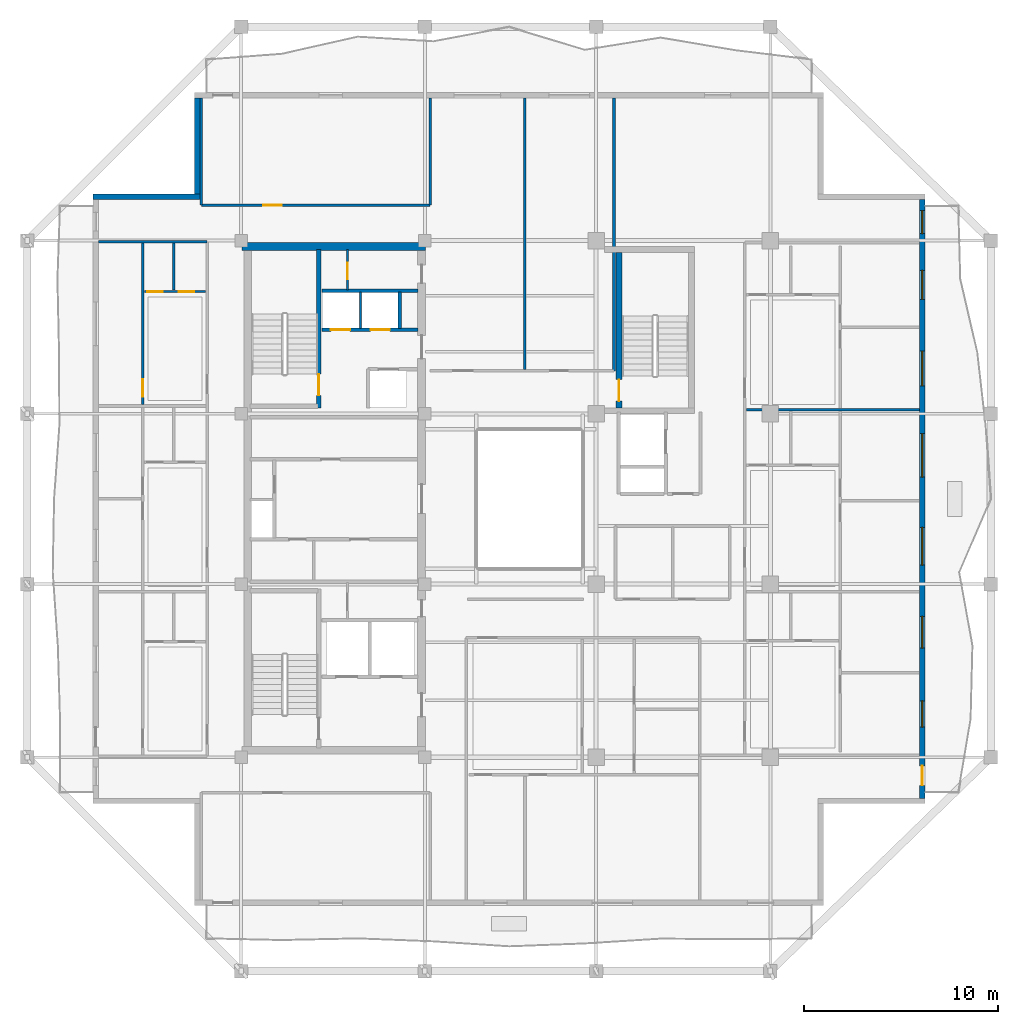
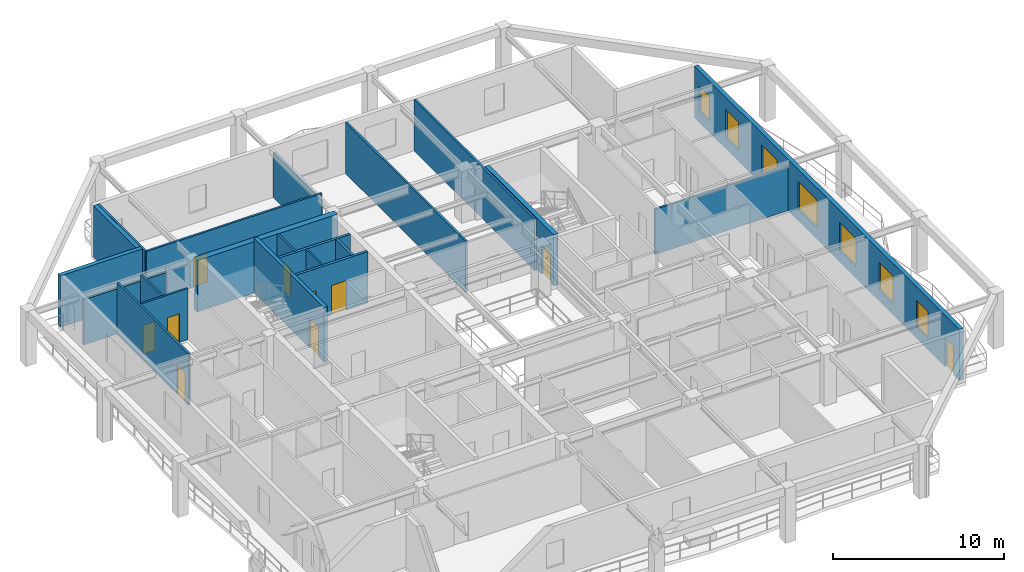
# One storey, part 6 of 13: 21 walls, 10 doors, 7 windows, 17 openings.
"""IFC4 building model written with IfcOpenShell, lengths in metres."""

import ifcopenshell
import ifcopenshell.guid

model = None  # the IFC model being written
_history = None  # IfcOwnerHistory: only IFC2X3 demands one
_inside = {}  # id of a spatial element -> (the spatial element, [elements in it])
_under = {}  # id of a project, library or spatial element -> (it, [spatial elements below it])
_declared = {}  # id of a project -> (the project, [libraries it declares])
_typed = {}  # id of a type object -> (the type object, [elements of that type])
_made_of = {}  # id of a material, layer set ... -> (it, [elements and type objects made of it])


def new_model(schema):
    """Start an empty IFC model of exactly this schema.

    Asked for "IFC4X3", IfcOpenShell would pick the latest addendum, in which some entities
    have other attributes; the version numbers below select the first issue.
    IFC2X3 requires an IfcOwnerHistory on every rooted entity: one is made here for all.
    """
    global model, _history
    if schema == "IFC4X3":
        model = ifcopenshell.file(schema_version=(4, 3, 0, 0))
    else:
        model = ifcopenshell.file(schema=schema)
    _inside.clear()
    _under.clear()
    _declared.clear()
    _typed.clear()
    _made_of.clear()
    _history = None
    if model.schema == "IFC2X3":
        org = make("IfcOrganization", Name="unknown")
        user = make(
            "IfcPersonAndOrganization",
            ThePerson=make("IfcPerson", FamilyName="unknown"),
            TheOrganization=org,
        )
        app = make(
            "IfcApplication",
            ApplicationDeveloper=org,
            Version="unknown",
            ApplicationFullName="unknown",
            ApplicationIdentifier="unknown",
        )
        _history = make(
            "IfcOwnerHistory",
            OwningUser=user,
            OwningApplication=app,
            ChangeAction="ADDED",
            CreationDate=0,
        )
    return model


def make(cls, **values):
    """One entity of the class cls with the attributes given. An attribute that is None is left unset."""
    return model.create_entity(
        cls, **{name: value for name, value in values.items() if value is not None}
    )


def rooted(cls, **values):
    """An entity with a GlobalId (a new one), such as an element, a storey or a relation."""
    return make(cls, GlobalId=ifcopenshell.guid.new(), OwnerHistory=_history, **values)


def si_unit(unit_type, name, prefix=None):
    """IfcSIUnit, for example si_unit("LENGTHUNIT", "METRE", prefix="MILLI")."""
    return make("IfcSIUnit", UnitType=unit_type, Prefix=prefix, Name=name)


def assignment(units):
    """IfcUnitAssignment: the units of a project."""
    return None if units is None else make("IfcUnitAssignment", Units=units)


def point(xyz):
    """IfcCartesianPoint."""
    return None if xyz is None else make("IfcCartesianPoint", Coordinates=xyz)


def direction(xyz):
    """IfcDirection."""
    return None if xyz is None else make("IfcDirection", DirectionRatios=xyz)


def frame(location, z_axis=None, x_axis=None):
    """IfcAxis2Placement3D, a coordinate frame: its origin and axes. An axis left out is left unset."""
    return make(
        "IfcAxis2Placement3D",
        Location=point(location),
        Axis=direction(z_axis),
        RefDirection=direction(x_axis),
    )


def frame_2d(location, x_axis=None):
    """IfcAxis2Placement2D, a coordinate frame in the plane: its origin and x axis."""
    return make(
        "IfcAxis2Placement2D", Location=point(location), RefDirection=direction(x_axis)
    )


def origin():
    """The frame at (0, 0, 0) with its axes left unset."""
    return frame((0.0, 0.0, 0.0))


def place(relative_to, where):
    """IfcLocalPlacement: puts the frame where relative to a parent placement (None: the world)."""
    return make(
        "IfcLocalPlacement", PlacementRelTo=relative_to, RelativePlacement=where
    )


def context(
    kind, dimensions, precision=None, world=None, true_north=None, identifier=None
):
    """IfcGeometricRepresentationContext, for example the 3D "Model" context."""
    return make(
        "IfcGeometricRepresentationContext",
        ContextIdentifier=identifier,
        ContextType=kind,
        CoordinateSpaceDimension=dimensions,
        Precision=precision,
        WorldCoordinateSystem=world,
        TrueNorth=true_north,
    )


def subcontext(parent, identifier, kind, view, scale=None):
    """IfcGeometricRepresentationSubContext, for example "Body" below "Model"."""
    return make(
        "IfcGeometricRepresentationSubContext",
        ContextIdentifier=identifier,
        ContextType=kind,
        ParentContext=parent,
        TargetScale=scale,
        TargetView=view,
    )


def project(units=None, contexts=None):
    """IfcProject with its units and contexts."""
    return rooted(
        "IfcProject",
        Name="project",
        RepresentationContexts=contexts,
        UnitsInContext=assignment(units),
    )


def spatial(cls, under=None, at=None, **own):
    """A site, building, storey or space (cls), placed at a placement, below another one or the project."""
    s = rooted(cls, ObjectPlacement=at, **own)
    if under is not None:
        _under.setdefault(under.id(), (under, []))[1].append(s)
    return s


def profile(cls, at=None, kind="AREA", **sizes):
    """A parametric profile (cls). Its sizes go by their IFC names, for example OverallWidth=200.0."""
    return make(cls, ProfileType=kind, Position=at, **sizes)


def rectangle(**sizes):
    """IfcRectangleProfileDef."""
    return profile("IfcRectangleProfileDef", **sizes)


def extrude(swept, where, along, depth):
    """IfcExtrudedAreaSolid: the profile swept, set in the frame where, extruded along a direction by depth."""
    return make(
        "IfcExtrudedAreaSolid",
        SweptArea=swept,
        Position=where,
        ExtrudedDirection=direction(along),
        Depth=depth,
    )


def shape(context_of_items, identifier, shape_type, items):
    """IfcShapeRepresentation: the items that make up one representation, for example the "Body"."""
    return make(
        "IfcShapeRepresentation",
        ContextOfItems=context_of_items,
        RepresentationIdentifier=identifier,
        RepresentationType=shape_type,
        Items=items,
    )


def material(Name=None, Category=None):
    """IfcMaterial."""
    return make("IfcMaterial", Name=Name, Category=Category)


def layer(
    of_material, thickness, ventilated=None, Name=None, Category=None, Priority=None
):
    """IfcMaterialLayer: one layer of a wall or slab, of a material (None: an air gap)."""
    return make(
        "IfcMaterialLayer",
        Material=of_material,
        LayerThickness=thickness,
        IsVentilated=ventilated,
        Name=Name,
        Category=Category,
        Priority=Priority,
    )


def layer_set(layers, Name=None):
    """IfcMaterialLayerSet."""
    return make("IfcMaterialLayerSet", MaterialLayers=layers, LayerSetName=Name)


def made_of(thing, what):
    """Note that an element or type object is made of a material, layer set ...; save() writes the relation."""
    if what is not None:
        _made_of.setdefault(what.id(), (what, []))[1].append(thing)
    return thing


def type_object(cls, material=None, **own):
    """A type object (cls), such as IfcWallType, which elements share."""
    return made_of(rooted(cls, **own), material)


def element(
    cls,
    number,
    at=None,
    inside=None,
    cuts=None,
    type_object=None,
    material=None,
    context=None,
    identifier="Body",
    shape_type=None,
    held_by="IfcProductDefinitionShape",
    body=None,
    shapes=None,
    **own,
):
    """One element of the class cls, such as IfcWall. Its Tag is "e" and its number.

    at: its placement. inside: the storey or other place that contains it. cuts: it is an
    opening in that element (IfcRelVoidsElement). A single representation is given by context,
    identifier, shape_type and body (its items); several are given by shapes. held_by: the class
    of the entity that holds the representations. save() writes the other relations.
    """
    e = rooted(cls, Tag="e%d" % number, ObjectPlacement=at, **own)
    if body is not None:
        shapes = [shape(context, identifier, shape_type, body)]
    if shapes is not None:
        e.Representation = make(held_by, Representations=shapes)
    if inside is not None:
        _inside.setdefault(inside.id(), (inside, []))[1].append(e)
    if cuts is not None:
        rooted(
            "IfcRelVoidsElement", RelatingBuildingElement=cuts, RelatedOpeningElement=e
        )
    if type_object is not None:
        _typed.setdefault(type_object.id(), (type_object, []))[1].append(e)
    return made_of(e, material)


def fill(opening, filler):
    """IfcRelFillsElement: the door or window that sits in an opening."""
    return rooted(
        "IfcRelFillsElement",
        RelatingOpeningElement=opening,
        RelatedBuildingElement=filler,
    )


def aggregate(whole, parts):
    """IfcRelAggregates: a whole, such as a stair, and the parts it consists of."""
    return rooted("IfcRelAggregates", RelatingObject=whole, RelatedObjects=parts)


def save(model, path):
    """Write the relations noted so far, then the file.

    IfcRelAggregates (storeys below a building ...), IfcRelContainedInSpatialStructure (elements
    in a storey), IfcRelDefinesByType, IfcRelAssociatesMaterial and IfcRelDeclares: one each for
    every whole, place, type object, material and project.
    """
    for whole, parts in _under.values():
        aggregate(whole, parts)
    for where, things in _inside.values():
        rooted(
            "IfcRelContainedInSpatialStructure",
            RelatedElements=things,
            RelatingStructure=where,
        )
    for kind, things in _typed.values():
        rooted("IfcRelDefinesByType", RelatedObjects=things, RelatingType=kind)
    for what, things in _made_of.values():
        rooted("IfcRelAssociatesMaterial", RelatedObjects=things, RelatingMaterial=what)
    for by, libraries in _declared.values():
        rooted("IfcRelDeclares", RelatingContext=by, RelatedDefinitions=libraries)
    model.write(path)


model = new_model("IFC4")

# Units and contexts
model_context = context("Model", 3, precision=1e-05, world=origin(), true_north=direction((0.0, 1.0)))
body_context = subcontext(model_context, "Body", "Model", "MODEL_VIEW")
ifc_project = project(units=[si_unit("LENGTHUNIT", "METRE"), si_unit("AREAUNIT", "SQUARE_METRE"), si_unit("VOLUMEUNIT", "CUBIC_METRE"), si_unit("PLANEANGLEUNIT", "RADIAN"), si_unit("MASSUNIT", "GRAM", prefix="KILO")], contexts=[model_context])

# Site, building, storey
site_placement = place(None, origin())
site = spatial("IfcSite", under=ifc_project, at=site_placement, CompositionType="ELEMENT")
building_placement = place(site_placement, origin())
building = spatial("IfcBuilding", under=site, at=building_placement, Name="Kundavana Baori Tower", CompositionType="ELEMENT")
storey_placement = place(building_placement, frame((0.0, 0.0, 229.699951171875)))
storey = spatial("IfcBuildingStorey", under=building, at=storey_placement, Name="L56", CompositionType="ELEMENT", Elevation=229.699951171875)

# Wall
ifc_material_1 = material(Name="Concrete C50/60", Category="concrete")
ifc_layer_1 = layer(ifc_material_1, 0.39990234375, Name="WL-CORE-400")
ifc_layer_set_1 = layer_set([ifc_layer_1], Name="Concrete C50/60")
wall_type_1 = type_object("IfcWallType", Name="WL-CORE-400", PredefinedType="SHEAR", material=ifc_layer_set_1)
wall_1_placement = place(storey_placement, frame((15.5, 41.639892578125, 0.0), z_axis=(0.0, 0.0, 1.0), x_axis=(1.0, 0.0, 0.0)))
element("IfcWall", 1, at=wall_1_placement, inside=storey, type_object=wall_type_1, Name="L56 Offset Core North Shear Wall", PredefinedType="SHEAR", context=body_context, shape_type="SweptSolid", body=[
    extrude(rectangle(XDim=9.47998046875, YDim=0.39990234375, at=frame_2d((4.739990234375, 0.0))), origin(), (0.0, 0.0, 1.0), 3.66015625),
])

# Wall, opening, door
wall_2_placement = place(storey_placement, frame((19.4599609375, 33.300048828125, 0.0), z_axis=(0.0, 0.0, 1.0), x_axis=(0.0, 1.0, 0.0)))
wall_2 = element("IfcWall", 2, at=wall_2_placement, inside=storey, type_object=wall_type_1, Name="WL-L56-ST2-E", PredefinedType="SHEAR", context=body_context, shape_type="SweptSolid", body=[
    extrude(rectangle(XDim=8.179931640625, YDim=0.239990234375, at=frame_2d((4.08984375, 0.0))), origin(), (0.0, 0.0, 1.0), 3.900146484375),
])
opening_1_placement = place(wall_2_placement, frame((0.64990234375, 0.0, 0.0)))
opening_1 = element("IfcOpeningElement", 3, at=opening_1_placement, cuts=wall_2, Name="Opening FD-110", PredefinedType="OPENING", context=body_context, shape_type="SweptSolid", body=[
    extrude(rectangle(XDim=1.10009765625, YDim=2.10009765625, at=frame_2d((0.550048828125, 1.050048828125))), frame((0.0, 0.1298828125, 0.0), z_axis=(0.0, -1.0, 0.0), x_axis=(1.0, 0.0, 0.0)), (0.0, 0.0, 1.0), 0.260009765625),
])
ifc_material_2 = material(Name="Galvanised Steel Fire-Rated Door Leaf", Category="steel")
door_type_1 = type_object("IfcDoorType", Name="DR-FD120-1100", OperationType="NOTDEFINED", PredefinedType="DOOR", material=ifc_material_2)
door_1_placement = place(opening_1_placement, origin())
door_1 = element("IfcDoor", 4, at=door_1_placement, inside=storey, type_object=door_type_1, Name="DR-L56-ST2", OperationType="SINGLE_SWING_RIGHT", OverallHeight=2.10009765625, OverallWidth=1.10009765625, PredefinedType="DOOR", context=body_context, shape_type="SweptSolid", body=[
    extrude(rectangle(XDim=1.10009765625, YDim=2.10009765625, at=frame_2d((0.550048828125, 1.050048828125))), frame((0.0, 0.02490234375, 0.0), z_axis=(0.0, -1.0, 0.0), x_axis=(1.0, 0.0, 0.0)), (0.0, 0.0, 1.0), 0.050048828125),
])
fill(opening_1, door_1)

# Wall, openings, door, windows
ifc_material_3 = material(Name="Red-Buff Dholpur Sandstone Cladding on Concrete C40/50", Category="masonry")
ifc_layer_2 = layer(ifc_material_3, 0.280029296875, Name="WL-EXT-SAND-280")
ifc_layer_set_2 = layer_set([ifc_layer_2], Name="Red-Buff Dholpur Sandstone Cladding on Concrete C40/50")
wall_type_2 = type_object("IfcWallType", Name="WL-EXT-SAND-280", PredefinedType="STANDARD", material=ifc_layer_set_2)
wall_3_placement = place(storey_placement, frame((50.659912109375, 13.1298828125, 0.0), z_axis=(0.0, 0.0, 1.0), x_axis=(0.0, 1.0, 0.0)))
wall_3 = element("IfcWall", 5, at=wall_3_placement, inside=storey, type_object=wall_type_2, Name="L56 Exterior Insulated Facade Wall 04", PredefinedType="STANDARD", context=body_context, shape_type="SweptSolid", body=[
    extrude(rectangle(XDim=30.940185546875, YDim=0.280029296875, at=frame_2d((15.47021484375, 0.0))), origin(), (0.0, 0.0, 1.0), 3.66015625),
])
opening_2_placement = place(wall_3_placement, frame((0.669921875, 0.0, 0.0)))
opening_2 = element("IfcOpeningElement", 6, at=opening_2_placement, cuts=wall_3, Name="Opening BD-1", PredefinedType="OPENING", context=body_context, shape_type="SweptSolid", body=[
    extrude(rectangle(XDim=1.0, YDim=2.050048828125, at=frame_2d((0.5, 1.02490234375))), frame((0.0, 0.14990234375, 0.0), z_axis=(0.0, -1.0, 0.0), x_axis=(1.0, 0.0, 0.0)), (0.0, 0.0, 1.0), 0.300048828125),
])
opening_3_placement = place(wall_3_placement, frame((3.68310546875, 0.0, 0.800048828125)))
opening_3 = element("IfcOpeningElement", 7, at=opening_3_placement, cuts=wall_3, Name="Opening W-07", PredefinedType="OPENING", context=body_context, shape_type="SweptSolid", body=[
    extrude(rectangle(XDim=1.35009765625, YDim=1.89990234375, at=frame_2d((0.675048828125, 0.949951171875))), frame((0.0, 0.14990234375, 0.0), z_axis=(0.0, -1.0, 0.0), x_axis=(1.0, 0.0, 0.0)), (0.0, 0.0, 1.0), 0.300048828125),
])
opening_4_placement = place(wall_3_placement, frame((7.757080078125, 0.0, 0.800048828125)))
opening_4 = element("IfcOpeningElement", 8, at=opening_4_placement, cuts=wall_3, Name="Opening W-08", PredefinedType="OPENING", context=body_context, shape_type="SweptSolid", body=[
    extrude(rectangle(XDim=1.64990234375, YDim=1.949951171875, at=frame_2d((0.824951171875, 0.97509765625))), frame((0.0, 0.14990234375, 0.0), z_axis=(0.0, -1.0, 0.0), x_axis=(1.0, 0.0, 0.0)), (0.0, 0.0, 1.0), 0.300048828125),
])
opening_5_placement = place(wall_3_placement, frame((12.044921875, 0.0, 0.800048828125)))
opening_5 = element("IfcOpeningElement", 9, at=opening_5_placement, cuts=wall_3, Name="Opening W-09", PredefinedType="OPENING", context=body_context, shape_type="SweptSolid", body=[
    extrude(rectangle(XDim=1.949951171875, YDim=2.0, at=frame_2d((0.97509765625, 1.0))), frame((0.0, 0.14990234375, 0.0), z_axis=(0.0, -1.0, 0.0), x_axis=(1.0, 0.0, 0.0)), (0.0, 0.0, 1.0), 0.300048828125),
])
opening_6_placement = place(wall_3_placement, frame((16.594970703125, 0.0, 0.800048828125)))
opening_6 = element("IfcOpeningElement", 10, at=opening_6_placement, cuts=wall_3, Name="Opening W-10", PredefinedType="OPENING", context=body_context, shape_type="SweptSolid", body=[
    extrude(rectangle(XDim=2.25, YDim=2.0, at=frame_2d((1.125, 1.0))), frame((0.0, 0.14990234375, 0.0), z_axis=(0.0, -1.0, 0.0), x_axis=(1.0, 0.0, 0.0)), (0.0, 0.0, 1.0), 0.300048828125),
])
opening_7_placement = place(wall_3_placement, frame((21.306884765625, 0.0, 0.800048828125)))
opening_7 = element("IfcOpeningElement", 11, at=opening_7_placement, cuts=wall_3, Name="Opening W-01", PredefinedType="OPENING", context=body_context, shape_type="SweptSolid", body=[
    extrude(rectangle(XDim=1.800048828125, YDim=2.0, at=frame_2d((0.89990234375, 1.0))), frame((0.0, 0.14990234375, 0.0), z_axis=(0.0, -1.0, 0.0), x_axis=(1.0, 0.0, 0.0)), (0.0, 0.0, 1.0), 0.300048828125),
])
opening_8_placement = place(wall_3_placement, frame((25.781982421875, 0.0, 0.800048828125)))
opening_8 = element("IfcOpeningElement", 12, at=opening_8_placement, cuts=wall_3, Name="Opening W-02", PredefinedType="OPENING", context=body_context, shape_type="SweptSolid", body=[
    extrude(rectangle(XDim=1.5, YDim=2.0, at=frame_2d((0.75, 1.0))), frame((0.0, 0.14990234375, 0.0), z_axis=(0.0, -1.0, 0.0), x_axis=(1.0, 0.0, 0.0)), (0.0, 0.0, 1.0), 0.300048828125),
])
opening_9_placement = place(wall_3_placement, frame((29.175048828125, 0.0, 0.800048828125)))
opening_9 = element("IfcOpeningElement", 13, at=opening_9_placement, cuts=wall_3, Name="Opening W-03", PredefinedType="OPENING", context=body_context, shape_type="SweptSolid", body=[
    extrude(rectangle(XDim=1.199951171875, YDim=1.75, at=frame_2d((0.60009765625, 0.875))), frame((0.0, 0.14990234375, 0.0), z_axis=(0.0, -1.0, 0.0), x_axis=(1.0, 0.0, 0.0)), (0.0, 0.0, 1.0), 0.300048828125),
])
ifc_material_4 = material(Name="Architectural Patinated Bronze Metalwork")
door_type_2 = type_object("IfcDoorType", Name="DR-EXT-LOG-1000", OperationType="NOTDEFINED", PredefinedType="DOOR", material=ifc_material_4)
door_2_placement = place(opening_2_placement, frame((1.0, 0.0, 0.0), z_axis=(0.0, 0.0, 1.0), x_axis=(-1.0, 0.0, 0.0)))
door_2 = element("IfcDoor", 14, at=door_2_placement, inside=storey, type_object=door_type_2, Name="L56 Loggia Balcony Access Door E", OperationType="SINGLE_SWING_RIGHT", OverallHeight=2.050048828125, OverallWidth=1.0, PredefinedType="DOOR", context=body_context, shape_type="SweptSolid", body=[
    extrude(rectangle(XDim=1.0, YDim=2.050048828125, at=frame_2d((0.5, 1.02490234375))), frame((0.0, 0.02490234375, 0.0), z_axis=(0.0, -1.0, 0.0), x_axis=(1.0, 0.0, 0.0)), (0.0, 0.0, 1.0), 0.050048828125),
])
fill(opening_2, door_2)
ifc_material_5 = material(Name="Double-Glazed Solar-Control Low-E Insulated Glass", Category="glass")
window_type_1 = type_object("IfcWindowType", Name="WIN-LOG-1200x1750", PartitioningType="SINGLE_PANEL", PredefinedType="WINDOW", material=ifc_material_5)
window_1_placement = place(opening_9_placement, origin())
window_1 = element("IfcWindow", 15, at=window_1_placement, inside=storey, type_object=window_type_1, Name="L56 Recessed Loggia Window E-8", OverallHeight=1.75, OverallWidth=1.199951171875, PartitioningType="SINGLE_PANEL", PredefinedType="WINDOW", context=body_context, shape_type="SweptSolid", body=[
    extrude(rectangle(XDim=1.199951171875, YDim=1.75, at=frame_2d((0.60009765625, 0.875))), frame((0.0, 0.030029296875, 0.0), z_axis=(0.0, -1.0, 0.0), x_axis=(1.0, 0.0, 0.0)), (0.0, 0.0, 1.0), 0.06005859375),
])
fill(opening_9, window_1)
ifc_material_6 = material(Name="Double-Glazed Solar-Control Low-E Insulated Glass", Category="glass")
window_type_2 = type_object("IfcWindowType", Name="WIN-LOG-1350x1900", PartitioningType="SINGLE_PANEL", PredefinedType="WINDOW", material=ifc_material_6)
window_2_placement = place(opening_3_placement, origin())
window_2 = element("IfcWindow", 16, at=window_2_placement, inside=storey, type_object=window_type_2, Name="L56 Recessed Loggia Window E-2", OverallHeight=1.89990234375, OverallWidth=1.35009765625, PartitioningType="SINGLE_PANEL", PredefinedType="WINDOW", context=body_context, shape_type="SweptSolid", body=[
    extrude(rectangle(XDim=1.35009765625, YDim=1.89990234375, at=frame_2d((0.675048828125, 0.949951171875))), frame((0.0, 0.030029296875, 0.0), z_axis=(0.0, -1.0, 0.0), x_axis=(1.0, 0.0, 0.0)), (0.0, 0.0, 1.0), 0.06005859375),
])
fill(opening_3, window_2)
ifc_material_7 = material(Name="Double-Glazed Solar-Control Low-E Insulated Glass", Category="glass")
window_type_3 = type_object("IfcWindowType", Name="WIN-LOG-1500x2000", PartitioningType="SINGLE_PANEL", PredefinedType="WINDOW", material=ifc_material_7)
window_3_placement = place(opening_8_placement, origin())
window_3 = element("IfcWindow", 17, at=window_3_placement, inside=storey, type_object=window_type_3, Name="L56 Recessed Loggia Window E-7", OverallHeight=2.0, OverallWidth=1.5, PartitioningType="SINGLE_PANEL", PredefinedType="WINDOW", context=body_context, shape_type="SweptSolid", body=[
    extrude(rectangle(XDim=1.5, YDim=2.0, at=frame_2d((0.75, 1.0))), frame((0.0, 0.030029296875, 0.0), z_axis=(0.0, -1.0, 0.0), x_axis=(1.0, 0.0, 0.0)), (0.0, 0.0, 1.0), 0.06005859375),
])
fill(opening_8, window_3)
ifc_material_8 = material(Name="Double-Glazed Solar-Control Low-E Insulated Glass", Category="glass")
window_type_4 = type_object("IfcWindowType", Name="WIN-LOG-1650x1950", PartitioningType="SINGLE_PANEL", PredefinedType="WINDOW", material=ifc_material_8)
window_4_placement = place(opening_4_placement, origin())
window_4 = element("IfcWindow", 18, at=window_4_placement, inside=storey, type_object=window_type_4, Name="L56 Recessed Loggia Window E-3", OverallHeight=1.949951171875, OverallWidth=1.64990234375, PartitioningType="SINGLE_PANEL", PredefinedType="WINDOW", context=body_context, shape_type="SweptSolid", body=[
    extrude(rectangle(XDim=1.64990234375, YDim=1.949951171875, at=frame_2d((0.824951171875, 0.97509765625))), frame((0.0, 0.030029296875, 0.0), z_axis=(0.0, -1.0, 0.0), x_axis=(1.0, 0.0, 0.0)), (0.0, 0.0, 1.0), 0.06005859375),
])
fill(opening_4, window_4)
ifc_material_9 = material(Name="Double-Glazed Solar-Control Low-E Insulated Glass", Category="glass")
window_type_5 = type_object("IfcWindowType", Name="WIN-LOG-1800x2000", PartitioningType="SINGLE_PANEL", PredefinedType="WINDOW", material=ifc_material_9)
window_5_placement = place(opening_7_placement, origin())
window_5 = element("IfcWindow", 19, at=window_5_placement, inside=storey, type_object=window_type_5, Name="L56 Recessed Loggia Window E-6", OverallHeight=2.0, OverallWidth=1.800048828125, PartitioningType="SINGLE_PANEL", PredefinedType="WINDOW", context=body_context, shape_type="SweptSolid", body=[
    extrude(rectangle(XDim=1.800048828125, YDim=2.0, at=frame_2d((0.89990234375, 1.0))), frame((0.0, 0.030029296875, 0.0), z_axis=(0.0, -1.0, 0.0), x_axis=(1.0, 0.0, 0.0)), (0.0, 0.0, 1.0), 0.06005859375),
])
fill(opening_7, window_5)
ifc_material_10 = material(Name="Double-Glazed Solar-Control Low-E Insulated Glass", Category="glass")
window_type_6 = type_object("IfcWindowType", Name="WIN-LOG-1950x2000", PartitioningType="SINGLE_PANEL", PredefinedType="WINDOW", material=ifc_material_10)
window_6_placement = place(opening_5_placement, origin())
window_6 = element("IfcWindow", 20, at=window_6_placement, inside=storey, type_object=window_type_6, Name="L56 Recessed Loggia Window E-4", OverallHeight=2.0, OverallWidth=1.949951171875, PartitioningType="SINGLE_PANEL", PredefinedType="WINDOW", context=body_context, shape_type="SweptSolid", body=[
    extrude(rectangle(XDim=1.949951171875, YDim=2.0, at=frame_2d((0.97509765625, 1.0))), frame((0.0, 0.030029296875, 0.0), z_axis=(0.0, -1.0, 0.0), x_axis=(1.0, 0.0, 0.0)), (0.0, 0.0, 1.0), 0.06005859375),
])
fill(opening_5, window_6)
ifc_material_11 = material(Name="Double-Glazed Solar-Control Low-E Insulated Glass", Category="glass")
window_type_7 = type_object("IfcWindowType", Name="WIN-LOG-2250x2000", PartitioningType="SINGLE_PANEL", PredefinedType="WINDOW", material=ifc_material_11)
window_7_placement = place(opening_6_placement, origin())
window_7 = element("IfcWindow", 21, at=window_7_placement, inside=storey, type_object=window_type_7, Name="L56 Recessed Loggia Window E-5", OverallHeight=2.0, OverallWidth=2.25, PartitioningType="SINGLE_PANEL", PredefinedType="WINDOW", context=body_context, shape_type="SweptSolid", body=[
    extrude(rectangle(XDim=2.25, YDim=2.0, at=frame_2d((1.125, 1.0))), frame((0.0, 0.030029296875, 0.0), z_axis=(0.0, -1.0, 0.0), x_axis=(1.0, 0.0, 0.0)), (0.0, 0.0, 1.0), 0.06005859375),
])
fill(opening_6, window_7)

# Walls
wall_4_placement = place(storey_placement, frame((13.18994140625, 49.320068359375, 0.0), z_axis=(0.0, 0.0, 1.0), x_axis=(0.0, -1.0, 0.0)))
element("IfcWall", 22, at=wall_4_placement, inside=storey, type_object=wall_type_2, Name="L56 Exterior Insulated Facade Wall 08", PredefinedType="STANDARD", context=body_context, shape_type="SweptSolid", body=[
    extrude(rectangle(XDim=4.969970703125, YDim=0.280029296875, at=frame_2d((2.48486328125, 0.0))), origin(), (0.0, 0.0, 1.0), 3.66015625),
])
wall_5_placement = place(storey_placement, frame((13.330078125, 44.2099609375, 0.0), z_axis=(0.0, 0.0, 1.0), x_axis=(-1.0, 0.0, 0.0)))
element("IfcWall", 23, at=wall_5_placement, inside=storey, type_object=wall_type_2, Name="L56 Exterior Insulated Facade Wall 09", PredefinedType="STANDARD", context=body_context, shape_type="SweptSolid", body=[
    extrude(rectangle(XDim=5.530029296875, YDim=0.280029296875, at=frame_2d((2.76513671875, 0.0))), origin(), (0.0, 0.0, 1.0), 3.66015625),
])
ifc_material_12 = material(Name="Acoustic Gypsum Plasterboard on Galvanised Steel Studs", Category="steel")
ifc_layer_3 = layer(ifc_material_12, 0.1201171875, Name="WL-PART-120")
ifc_layer_set_3 = layer_set([ifc_layer_3], Name="Acoustic Gypsum Plasterboard on Galvanised Steel Studs")
wall_type_3 = type_object("IfcWallType", Name="WL-PART-120", PredefinedType="PARTITIONING", material=ifc_layer_set_3)
wall_6_placement = place(storey_placement, frame((21.6201171875, 37.39990234375, 0.0), z_axis=(0.0, 0.0, 1.0), x_axis=(0.0, 1.0, 0.0)))
element("IfcWall", 24, at=wall_6_placement, inside=storey, type_object=wall_type_3, Name="WL-L56-HR-DIV1", PredefinedType="PARTITIONING", context=body_context, shape_type="SweptSolid", body=[
    extrude(rectangle(XDim=1.900146484375, YDim=0.1201171875, at=frame_2d((0.9501953125, 0.0))), origin(), (0.0, 0.0, 1.0), 3.66015625),
])

# Wall, opening, door
wall_7_placement = place(storey_placement, frame((20.949951171875, 39.39990234375, 0.0), z_axis=(0.0, 0.0, 1.0), x_axis=(0.0, 1.0, 0.0)))
wall_7 = element("IfcWall", 25, at=wall_7_placement, inside=storey, type_object=wall_type_3, Name="WL-L56-CSRV-D2", PredefinedType="PARTITIONING", context=body_context, shape_type="SweptSolid", body=[
    extrude(rectangle(XDim=2.080078125, YDim=0.1201171875, at=frame_2d((1.0400390625, 0.0))), origin(), (0.0, 0.0, 1.0), 3.66015625),
])
opening_10_placement = place(wall_7_placement, frame((0.550048828125, 0.0, 0.0)))
opening_10 = element("IfcOpeningElement", 26, at=opening_10_placement, cuts=wall_7, Name="Opening FD-085", PredefinedType="OPENING", context=body_context, shape_type="SweptSolid", body=[
    extrude(rectangle(XDim=0.85009765625, YDim=2.06005859375, at=frame_2d((0.425048828125, 1.030029296875))), frame((0.0, 0.070068359375, 0.0), z_axis=(0.0, -1.0, 0.0), x_axis=(1.0, 0.0, 0.0)), (0.0, 0.0, 1.0), 0.14013671875),
])
ifc_material_13 = material(Name="Galvanised Steel Fire-Rated Door Leaf", Category="steel")
door_type_3 = type_object("IfcDoorType", Name="DR-FD60-850", OperationType="NOTDEFINED", PredefinedType="DOOR", material=ifc_material_13)
door_3_placement = place(opening_10_placement, origin())
door_3 = element("IfcDoor", 27, at=door_3_placement, inside=storey, type_object=door_type_3, Name="DR-L56-CSRV1", OperationType="SINGLE_SWING_RIGHT", OverallHeight=2.06005859375, OverallWidth=0.85009765625, PredefinedType="DOOR", context=body_context, shape_type="SweptSolid", body=[
    extrude(rectangle(XDim=0.85009765625, YDim=2.06005859375, at=frame_2d((0.425048828125, 1.030029296875))), frame((0.0, 0.02490234375, 0.0), z_axis=(0.0, -1.0, 0.0), x_axis=(1.0, 0.0, 0.0)), (0.0, 0.0, 1.0), 0.050048828125),
])
fill(opening_10, door_3)

ifc_material_14 = material(Name="Acoustic Gypsum Plasterboard on Galvanised Steel Studs", Category="steel")
ifc_layer_4 = layer(ifc_material_14, 0.135009765625, Name="WL-PART-135")
ifc_layer_set_4 = layer_set([ifc_layer_4], Name="Acoustic Gypsum Plasterboard on Galvanised Steel Studs")
wall_type_4 = type_object("IfcWallType", Name="WL-PART-135", PredefinedType="PARTITIONING", material=ifc_layer_set_4)
wall_8_placement = place(storey_placement, frame((13.39990234375, 43.780029296875, 0.0), z_axis=(0.0, 0.0, 1.0), x_axis=(1.0, 0.0, 0.0)))
wall_8 = element("IfcWall", 28, at=wall_8_placement, inside=storey, type_object=wall_type_4, Name="WL-L56-RNC", PredefinedType="PARTITIONING", context=body_context, shape_type="SweptSolid", body=[
    extrude(rectangle(XDim=11.820068359375, YDim=0.135009765625, at=frame_2d((5.91015625, 0.0))), origin(), (0.0, 0.0, 1.0), 3.66015625),
])
opening_11_placement = place(wall_8_placement, frame((3.199951171875, 0.0, 0.0)))
opening_11 = element("IfcOpeningElement", 29, at=opening_11_placement, cuts=wall_8, Name="Opening ID-095", PredefinedType="OPENING", context=body_context, shape_type="SweptSolid", body=[
    extrude(rectangle(XDim=0.949951171875, YDim=2.080078125, at=frame_2d((0.47509765625, 1.0400390625))), frame((0.0, 0.07763671875, 0.0), z_axis=(0.0, -1.0, 0.0), x_axis=(1.0, 0.0, 0.0)), (0.0, 0.0, 1.0), 0.155029296875),
])
ifc_material_15 = material(Name="Engineered Teak Solid-Core Timber Veneer", Category="wood")
door_type_4 = type_object("IfcDoorType", Name="DR-INT-950", OperationType="NOTDEFINED", PredefinedType="DOOR", material=ifc_material_15)
door_4_placement = place(opening_11_placement, origin())
door_4 = element("IfcDoor", 30, at=door_4_placement, inside=storey, type_object=door_type_4, Name="DR-L56-RMNW", OperationType="SINGLE_SWING_RIGHT", OverallHeight=2.080078125, OverallWidth=0.949951171875, PredefinedType="DOOR", context=body_context, shape_type="SweptSolid", body=[
    extrude(rectangle(XDim=0.949951171875, YDim=2.080078125, at=frame_2d((0.47509765625, 1.0400390625))), frame((0.0, 0.02490234375, 0.0), z_axis=(0.0, -1.0, 0.0), x_axis=(1.0, 0.0, 0.0)), (0.0, 0.0, 1.0), 0.050048828125),
])
fill(opening_11, door_4)

# Walls
wall_9_placement = place(storey_placement, frame((13.39990234375, 43.780029296875, 0.0), z_axis=(0.0, 0.0, 1.0), x_axis=(0.0, 1.0, 0.0)))
element("IfcWall", 31, at=wall_9_placement, inside=storey, type_object=wall_type_4, Name="WL-L56-RNCW", PredefinedType="PARTITIONING", context=body_context, shape_type="SweptSolid", body=[
    extrude(rectangle(XDim=5.5400390625, YDim=0.135009765625, at=frame_2d((2.77001953125, 0.0))), origin(), (0.0, 0.0, 1.0), 3.66015625),
])
wall_10_placement = place(storey_placement, frame((25.219970703125, 43.780029296875, 0.0), z_axis=(0.0, 0.0, 1.0), x_axis=(0.0, 1.0, 0.0)))
element("IfcWall", 32, at=wall_10_placement, inside=storey, type_object=wall_type_4, Name="WL-L56-RNCE", PredefinedType="PARTITIONING", context=body_context, shape_type="SweptSolid", body=[
    extrude(rectangle(XDim=5.5400390625, YDim=0.135009765625, at=frame_2d((2.77001953125, 0.0))), origin(), (0.0, 0.0, 1.0), 3.2099609375),
])
wall_11_placement = place(storey_placement, frame((8.080078125, 41.89990234375, 0.0), z_axis=(0.0, 0.0, 1.0), x_axis=(1.0, 0.0, 0.0)))
element("IfcWall", 33, at=wall_11_placement, inside=storey, type_object=wall_type_4, Name="WL-L56-RWN", PredefinedType="PARTITIONING", context=body_context, shape_type="SweptSolid", body=[
    extrude(rectangle(XDim=5.619873046875, YDim=0.135009765625, at=frame_2d((2.81005859375, 0.0))), origin(), (0.0, 0.0, 1.0), 3.2099609375),
])

# Wall, opening, door
wall_12_placement = place(storey_placement, frame((10.3701171875, 33.47998046875, 0.0), z_axis=(0.0, 0.0, 1.0), x_axis=(0.0, 1.0, 0.0)))
wall_12 = element("IfcWall", 34, at=wall_12_placement, inside=storey, type_object=wall_type_4, Name="WL-L56-W3-VT", PredefinedType="PARTITIONING", context=body_context, shape_type="SweptSolid", body=[
    extrude(rectangle(XDim=8.340087890625, YDim=0.135009765625, at=frame_2d((4.169921875, 0.0))), origin(), (0.0, 0.0, 1.0), 3.66015625),
])
opening_12_placement = place(wall_12_placement, frame((0.39990234375, 0.0, 0.0)))
opening_12 = element("IfcOpeningElement", 35, at=opening_12_placement, cuts=wall_12, Name="Opening ID-090", PredefinedType="OPENING", context=body_context, shape_type="SweptSolid", body=[
    extrude(rectangle(XDim=0.89990234375, YDim=2.080078125, at=frame_2d((0.449951171875, 1.0400390625))), frame((0.0, 0.07763671875, 0.0), z_axis=(0.0, -1.0, 0.0), x_axis=(1.0, 0.0, 0.0)), (0.0, 0.0, 1.0), 0.155029296875),
])
ifc_material_16 = material(Name="Engineered Teak Solid-Core Timber Veneer", Category="wood")
door_type_5 = type_object("IfcDoorType", Name="DR-INT-900", OperationType="NOTDEFINED", PredefinedType="DOOR", material=ifc_material_16)
door_5_placement = place(opening_12_placement, frame((0.89990234375, 0.0, 0.0), z_axis=(0.0, 0.0, 1.0), x_axis=(-1.0, 0.0, 0.0)))
door_5 = element("IfcDoor", 36, at=door_5_placement, inside=storey, type_object=door_type_5, Name="DR-L56-W3-B1", OperationType="SINGLE_SWING_LEFT", OverallHeight=2.080078125, OverallWidth=0.89990234375, PredefinedType="DOOR", context=body_context, shape_type="SweptSolid", body=[
    extrude(rectangle(XDim=0.89990234375, YDim=2.080078125, at=frame_2d((0.449951171875, 1.0400390625))), frame((0.0, 0.02490234375, 0.0), z_axis=(0.0, -1.0, 0.0), x_axis=(1.0, 0.0, 0.0)), (0.0, 0.0, 1.0), 0.050048828125),
])
fill(opening_12, door_5)

# Walls
wall_13_placement = place(storey_placement, frame((34.719970703125, 35.219970703125, 0.0), z_axis=(0.0, 0.0, 1.0), x_axis=(0.0, 1.0, 0.0)))
element("IfcWall", 37, at=wall_13_placement, inside=storey, type_object=wall_type_4, Name="WL-L56-RNEND", PredefinedType="PARTITIONING", context=body_context, shape_type="SweptSolid", body=[
    extrude(rectangle(XDim=14.10009765625, YDim=0.135009765625, at=frame_2d((7.050048828125, 0.0))), origin(), (0.0, 0.0, 1.0), 3.66015625),
])
wall_14_placement = place(storey_placement, frame((30.10009765625, 35.300048828125, 0.0), z_axis=(0.0, 0.0, 1.0), x_axis=(0.0, 1.0, 0.0)))
element("IfcWall", 38, at=wall_14_placement, inside=storey, type_object=wall_type_4, Name="WL-L56-RND1", PredefinedType="PARTITIONING", context=body_context, shape_type="SweptSolid", body=[
    extrude(rectangle(XDim=14.02001953125, YDim=0.135009765625, at=frame_2d((7.010009765625, 0.0))), origin(), (0.0, 0.0, 1.0), 3.66015625),
])
wall_15_placement = place(storey_placement, frame((41.56005859375, 33.199951171875, 0.0), z_axis=(0.0, 0.0, 1.0), x_axis=(1.0, 0.0, 0.0)))
element("IfcWall", 39, at=wall_15_placement, inside=storey, type_object=wall_type_4, Name="WL-L56-RED2", PredefinedType="PARTITIONING", context=body_context, shape_type="SweptSolid", body=[
    extrude(rectangle(XDim=8.9599609375, YDim=0.135009765625, at=frame_2d((4.47998046875, 0.0))), origin(), (0.0, 0.0, 1.0), 3.2099609375),
])

# Wall, openings, doors
ifc_material_17 = material(Name="Autoclaved Aerated Concrete Blockwork Masonry", Category="masonry")
ifc_layer_5 = layer(ifc_material_17, 0.179931640625, Name="WL-SHAFT-180")
ifc_layer_set_5 = layer_set([ifc_layer_5], Name="Autoclaved Aerated Concrete Blockwork Masonry")
wall_type_5 = type_object("IfcWallType", Name="WL-SHAFT-180", PredefinedType="SOLIDWALL", material=ifc_layer_set_5)
wall_16_placement = place(storey_placement, frame((19.639892578125, 37.340087890625, 0.0), z_axis=(0.0, 0.0, 1.0), x_axis=(1.0, 0.0, 0.0)))
wall_16 = element("IfcWall", 40, at=wall_16_placement, inside=storey, type_object=wall_type_5, Name="WL-L56-HRLOB-N", PredefinedType="SOLIDWALL", context=body_context, shape_type="SweptSolid", body=[
    extrude(rectangle(XDim=4.940185546875, YDim=0.179931640625, at=frame_2d((2.47021484375, 0.0))), origin(), (0.0, 0.0, 1.0), 3.66015625),
])
opening_13_placement = place(wall_16_placement, frame((0.449951171875, 0.0, 0.0)))
opening_13 = element("IfcOpeningElement", 41, at=opening_13_placement, cuts=wall_16, Name="Opening LD-100", PredefinedType="OPENING", context=body_context, shape_type="SweptSolid", body=[
    extrude(rectangle(XDim=1.0, YDim=2.10009765625, at=frame_2d((0.5, 1.050048828125))), frame((0.0, 0.10009765625, 0.0), z_axis=(0.0, -1.0, 0.0), x_axis=(1.0, 0.0, 0.0)), (0.0, 0.0, 1.0), 0.199951171875),
])
opening_14_placement = place(wall_16_placement, frame((2.5, 0.0, 0.0)))
opening_14 = element("IfcOpeningElement", 42, at=opening_14_placement, cuts=wall_16, Name="Opening LD-100", PredefinedType="OPENING", context=body_context, shape_type="SweptSolid", body=[
    extrude(rectangle(XDim=1.0, YDim=2.10009765625, at=frame_2d((0.5, 1.050048828125))), frame((0.0, 0.10009765625, 0.0), z_axis=(0.0, -1.0, 0.0), x_axis=(1.0, 0.0, 0.0)), (0.0, 0.0, 1.0), 0.199951171875),
])
ifc_material_18 = material(Name="Galvanised Steel Fire-Rated Door Leaf", Category="steel")
door_type_6 = type_object("IfcDoorType", Name="DR-SLIDE-LD1000", OperationType="NOTDEFINED", PredefinedType="DOOR", material=ifc_material_18)
door_6_placement = place(opening_13_placement, frame((1.0, 0.0, 0.0), z_axis=(0.0, 0.0, 1.0), x_axis=(-1.0, 0.0, 0.0)))
door_6 = element("IfcDoor", 43, at=door_6_placement, inside=storey, type_object=door_type_6, Name="DR-L56-LD-LP09", OperationType="DOUBLE_DOOR_SLIDING", OverallHeight=2.10009765625, OverallWidth=1.0, PredefinedType="DOOR", context=body_context, shape_type="SweptSolid", body=[
    extrude(rectangle(XDim=1.0, YDim=2.10009765625, at=frame_2d((0.5, 1.050048828125))), frame((0.0, 0.02490234375, 0.0), z_axis=(0.0, -1.0, 0.0), x_axis=(1.0, 0.0, 0.0)), (0.0, 0.0, 1.0), 0.050048828125),
])
fill(opening_13, door_6)
door_7_placement = place(opening_14_placement, frame((1.0, 0.0, 0.0), z_axis=(0.0, 0.0, 1.0), x_axis=(-1.0, 0.0, 0.0)))
door_7 = element("IfcDoor", 44, at=door_7_placement, inside=storey, type_object=door_type_6, Name="DR-L56-LD-LP10", OperationType="DOUBLE_DOOR_SLIDING", OverallHeight=2.10009765625, OverallWidth=1.0, PredefinedType="DOOR", context=body_context, shape_type="SweptSolid", body=[
    extrude(rectangle(XDim=1.0, YDim=2.10009765625, at=frame_2d((0.5, 1.050048828125))), frame((0.0, 0.02490234375, 0.0), z_axis=(0.0, -1.0, 0.0), x_axis=(1.0, 0.0, 0.0)), (0.0, 0.0, 1.0), 0.050048828125),
])
fill(opening_14, door_7)

# Walls
wall_17_placement = place(storey_placement, frame((19.639892578125, 39.360107421875, 0.0), z_axis=(0.0, 0.0, 1.0), x_axis=(1.0, 0.0, 0.0)))
element("IfcWall", 45, at=wall_17_placement, inside=storey, type_object=wall_type_5, Name="WL-L56-HRLOB-TOP", PredefinedType="SOLIDWALL", context=body_context, shape_type="SweptSolid", body=[
    extrude(rectangle(XDim=4.940185546875, YDim=0.179931640625, at=frame_2d((2.47021484375, 0.0))), origin(), (0.0, 0.0, 1.0), 3.66015625),
])
wall_18_placement = place(storey_placement, frame((23.659912109375, 37.39990234375, 0.0), z_axis=(0.0, 0.0, 1.0), x_axis=(0.0, 1.0, 0.0)))
element("IfcWall", 46, at=wall_18_placement, inside=storey, type_object=wall_type_5, Name="WL-L56-HR-DIV2", PredefinedType="SOLIDWALL", context=body_context, shape_type="SweptSolid", body=[
    extrude(rectangle(XDim=1.900146484375, YDim=0.179931640625, at=frame_2d((0.9501953125, 0.0))), origin(), (0.0, 0.0, 1.0), 3.66015625),
])

# Wall, opening, door
ifc_material_19 = material(Name="Concrete C50/60", Category="concrete")
ifc_layer_6 = layer(ifc_material_19, 0.300048828125, Name="WL-ST3-300")
ifc_layer_set_6 = layer_set([ifc_layer_6], Name="Concrete C50/60")
wall_type_6 = type_object("IfcWallType", Name="WL-ST3-300", PredefinedType="SHEAR", material=ifc_layer_set_6)
wall_19_placement = place(storey_placement, frame((34.97998046875, 33.31005859375, 0.0), z_axis=(0.0, 0.0, 1.0), x_axis=(0.0, 1.0, 0.0)))
wall_19 = element("IfcWall", 47, at=wall_19_placement, inside=storey, type_object=wall_type_6, Name="L56 Stair ST3 West Shear Wall", PredefinedType="SHEAR", context=body_context, shape_type="SweptSolid", body=[
    extrude(rectangle(XDim=8.030029296875, YDim=0.300048828125, at=frame_2d((4.01513671875, 0.0))), origin(), (0.0, 0.0, 1.0), 3.66015625),
])
opening_15_placement = place(wall_19_placement, frame((0.35009765625, 0.0, 0.0)))
opening_15 = element("IfcOpeningElement", 48, at=opening_15_placement, cuts=wall_19, Name="Opening FD-110", PredefinedType="OPENING", context=body_context, shape_type="SweptSolid", body=[
    extrude(rectangle(XDim=1.10009765625, YDim=2.10009765625, at=frame_2d((0.550048828125, 1.050048828125))), frame((0.0, 0.16015625, 0.0), z_axis=(0.0, -1.0, 0.0), x_axis=(1.0, 0.0, 0.0)), (0.0, 0.0, 1.0), 0.320068359375),
])
door_8_placement = place(opening_15_placement, origin())
door_8 = element("IfcDoor", 49, at=door_8_placement, inside=storey, type_object=door_type_1, Name="DR-L56-ST3-W", OperationType="SINGLE_SWING_LEFT", OverallHeight=2.10009765625, OverallWidth=1.10009765625, PredefinedType="DOOR", context=body_context, shape_type="SweptSolid", body=[
    extrude(rectangle(XDim=1.10009765625, YDim=2.10009765625, at=frame_2d((0.550048828125, 1.050048828125))), frame((0.0, 0.02490234375, 0.0), z_axis=(0.0, -1.0, 0.0), x_axis=(1.0, 0.0, 0.0)), (0.0, 0.0, 1.0), 0.050048828125),
])
fill(opening_15, door_8)

# Wall, openings, doors
ifc_material_20 = material(Name="Autoclaved Aerated Concrete Blockwork Masonry", Category="masonry")
ifc_layer_7 = layer(ifc_material_20, 0.125, Name="WL-WET-120")
ifc_layer_set_7 = layer_set([ifc_layer_7], Name="Autoclaved Aerated Concrete Blockwork Masonry")
wall_type_7 = type_object("IfcWallType", Name="WL-WET-120", PredefinedType="PLUMBINGWALL", material=ifc_layer_set_7)
wall_20_placement = place(storey_placement, frame((10.449951171875, 39.318115234375, 0.0), z_axis=(0.0, 0.0, 1.0), x_axis=(1.0, 0.0, 0.0)))
wall_20 = element("IfcWall", 50, at=wall_20_placement, inside=storey, type_object=wall_type_7, Name="WL-L56-W3-KH", PredefinedType="PLUMBINGWALL", context=body_context, shape_type="SweptSolid", body=[
    extrude(rectangle(XDim=3.170166015625, YDim=0.125, at=frame_2d((1.5849609375, 0.0))), origin(), (0.0, 0.0, 1.0), 3.66015625),
])
opening_16_placement = place(wall_20_placement, frame((0.159912109375, 0.0, 0.0)))
opening_16 = element("IfcOpeningElement", 51, at=opening_16_placement, cuts=wall_20, Name="Opening WD-080", PredefinedType="OPENING", context=body_context, shape_type="SweptSolid", body=[
    extrude(rectangle(XDim=0.800048828125, YDim=2.050048828125, at=frame_2d((0.39990234375, 1.02490234375))), frame((0.0, 0.072509765625, 0.0), z_axis=(0.0, -1.0, 0.0), x_axis=(1.0, 0.0, 0.0)), (0.0, 0.0, 1.0), 0.14501953125),
])
opening_17_placement = place(wall_20_placement, frame((1.781982421875, 0.0, 0.0)))
opening_17 = element("IfcOpeningElement", 52, at=opening_17_placement, cuts=wall_20, Name="Opening WD-080", PredefinedType="OPENING", context=body_context, shape_type="SweptSolid", body=[
    extrude(rectangle(XDim=0.800048828125, YDim=2.050048828125, at=frame_2d((0.39990234375, 1.02490234375))), frame((0.0, 0.072509765625, 0.0), z_axis=(0.0, -1.0, 0.0), x_axis=(1.0, 0.0, 0.0)), (0.0, 0.0, 1.0), 0.14501953125),
])
ifc_material_21 = material(Name="Engineered Teak Solid-Core Timber Veneer", Category="wood")
door_type_7 = type_object("IfcDoorType", Name="DR-WET-800", OperationType="NOTDEFINED", PredefinedType="DOOR", material=ifc_material_21)
door_9_placement = place(opening_16_placement, origin())
door_9 = element("IfcDoor", 53, at=door_9_placement, inside=storey, type_object=door_type_7, Name="DR-L56-W3-BT", OperationType="SINGLE_SWING_LEFT", OverallHeight=2.050048828125, OverallWidth=0.800048828125, PredefinedType="DOOR", context=body_context, shape_type="SweptSolid", body=[
    extrude(rectangle(XDim=0.800048828125, YDim=2.050048828125, at=frame_2d((0.39990234375, 1.02490234375))), frame((0.0, 0.02490234375, 0.0), z_axis=(0.0, -1.0, 0.0), x_axis=(1.0, 0.0, 0.0)), (0.0, 0.0, 1.0), 0.050048828125),
])
fill(opening_16, door_9)
door_10_placement = place(opening_17_placement, origin())
door_10 = element("IfcDoor", 54, at=door_10_placement, inside=storey, type_object=door_type_7, Name="DR-L56-W3-KT", OperationType="SINGLE_SWING_RIGHT", OverallHeight=2.050048828125, OverallWidth=0.800048828125, PredefinedType="DOOR", context=body_context, shape_type="SweptSolid", body=[
    extrude(rectangle(XDim=0.800048828125, YDim=2.050048828125, at=frame_2d((0.39990234375, 1.02490234375))), frame((0.0, 0.02490234375, 0.0), z_axis=(0.0, -1.0, 0.0), x_axis=(1.0, 0.0, 0.0)), (0.0, 0.0, 1.0), 0.050048828125),
])
fill(opening_17, door_10)

# Wall
wall_21_placement = place(storey_placement, frame((11.971923828125, 39.39794921875, 0.0), z_axis=(0.0, 0.0, 1.0), x_axis=(0.0, 1.0, 0.0)))
element("IfcWall", 55, at=wall_21_placement, inside=storey, type_object=wall_type_7, Name="WL-L56-W3-BV", PredefinedType="PLUMBINGWALL", context=body_context, shape_type="SweptSolid", body=[
    extrude(rectangle(XDim=2.422119140625, YDim=0.125, at=frame_2d((1.2109375, 0.0))), origin(), (0.0, 0.0, 1.0), 3.66015625),
])

save(model, "model.ifc")
